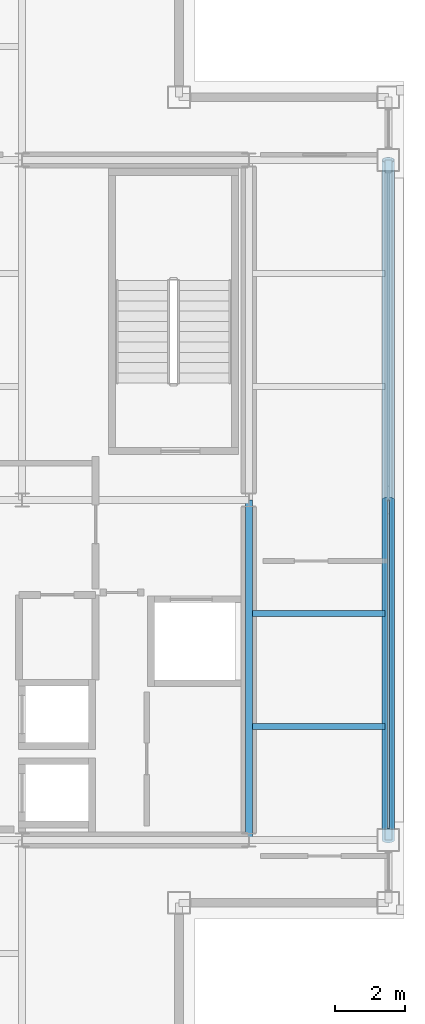
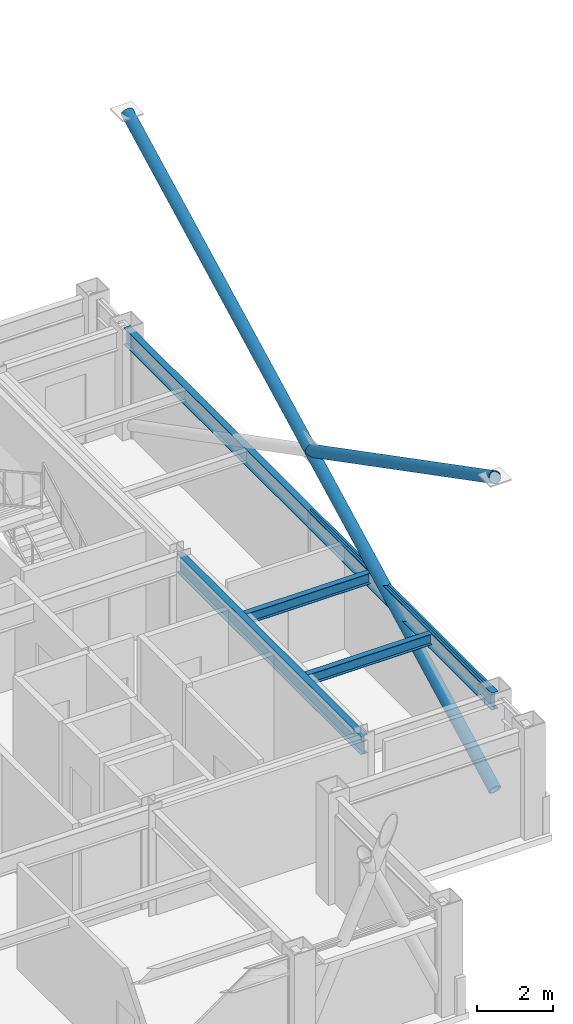
# One storey, part 14 of 26: 4 beams, 3 members, 1 element without a shape of its own.
"""IFC4 building model written with IfcOpenShell, lengths in metres."""

from ifc_helpers import new_model, si_unit, direction, frame, origin, origin_2d, place, context, subcontext, project, spatial, hollow_rectangle, hollow_circle, i_section, extrude, material, layer, layer_set, material_profile, profile_set, type_object, element, aggregate, save


model = new_model("IFC4")

# Units and contexts
model_context = context("Model", 3, precision=1e-05, world=origin(), true_north=direction((0.0, 1.0)))
body_context = subcontext(model_context, "Body", "Model", "MODEL_VIEW")
ifc_project = project(units=[si_unit("LENGTHUNIT", "METRE"), si_unit("AREAUNIT", "SQUARE_METRE"), si_unit("VOLUMEUNIT", "CUBIC_METRE"), si_unit("PLANEANGLEUNIT", "RADIAN"), si_unit("MASSUNIT", "GRAM", prefix="KILO")], contexts=[model_context])

# Site, building, storey
site_placement = place(None, origin())
site = spatial("IfcSite", under=ifc_project, at=site_placement, CompositionType="ELEMENT")
building_placement = place(site_placement, origin())
building = spatial("IfcBuilding", under=site, at=building_placement, Name="Brelmoor Portico Tower", CompositionType="ELEMENT")
storey_placement = place(building_placement, frame((0.0, 0.0, 247.199951171875)))
storey = spatial("IfcBuildingStorey", under=building, at=storey_placement, Name="L65", CompositionType="ELEMENT", Elevation=247.199951171875)

# Beams
ifc_material_1 = material(Name="Steel Q355B", Category="steel")
ifc_material_profile_1 = material_profile(ifc_material_1, i_section(OverallWidth=0.175048828125, OverallDepth=0.35009765625, WebThickness=0.007080078125, FlangeThickness=0.010986328125, at=origin_2d()), Name="HN 350x175x7x11")
ifc_profile_set_1 = profile_set([ifc_material_profile_1], Name="Steel Q355B")
beam_type_1 = type_object("IfcBeamType", Name="BM-JS-350", PredefinedType="JOIST", material=ifc_profile_set_1)
for number, where, z_axis, x_axis, name in (
    (1, (14.64990234375, -6.5, 3.22509765625), (1.0, 0.0, 0.0), (0.0, 1.0, 0.0), "L65 Secondary Wing Joist JS-E11"),
    (2, (14.64990234375, -3.25, 3.22509765625), (1.0, 0.0, 0.0), (0.0, 1.0, 0.0), "L65 Secondary Wing Joist JS-E12"),
):
    element("IfcBeam", number, at=place(storey_placement, frame(where, z_axis=z_axis, x_axis=x_axis)), inside=storey, type_object=beam_type_1, Name=name, PredefinedType="JOIST", context=body_context, shape_type="SweptSolid", body=[
        extrude(i_section(OverallWidth=0.175048828125, OverallDepth=0.35009765625, WebThickness=0.007080078125, FlangeThickness=0.010986328125, at=origin_2d()), origin(), (0.0, 0.0, 1.0), 3.800048828125),
    ])
ifc_material_profile_2 = material_profile(ifc_material_1, i_section(OverallWidth=0.199951171875, OverallDepth=0.60009765625, WebThickness=0.010986328125, FlangeThickness=0.01708984375, at=origin_2d()), Name="HN 600x200x11x17")
ifc_profile_set_2 = profile_set([ifc_material_profile_2], Name="Steel Q355B")
beam_type_2 = type_object("IfcBeamType", Name="BM-PG-600", PredefinedType="BEAM", material=ifc_profile_set_2)
beam_1_placement = place(storey_placement, frame((14.550048828125, -9.75, 3.10009765625), z_axis=(0.0, 1.0, 0.0), x_axis=(-1.0, 0.0, 0.0)))
element("IfcBeam", 3, at=beam_1_placement, inside=storey, type_object=beam_type_2, Name="L65 Primary Floor Girder PG-09", PredefinedType="BEAM", context=body_context, shape_type="SweptSolid", body=[
    extrude(i_section(OverallWidth=0.199951171875, OverallDepth=0.60009765625, WebThickness=0.010986328125, FlangeThickness=0.01708984375, at=origin_2d()), origin(), (0.0, 0.0, 1.0), 9.75),
])
ifc_material_profile_3 = material_profile(ifc_material_1, i_section(OverallWidth=0.199951171875, OverallDepth=0.550048828125, WebThickness=0.010009765625, FlangeThickness=0.01611328125, at=origin_2d()), Name="HN 550x200x10x16")
ifc_profile_set_3 = profile_set([ifc_material_profile_3], Name="Steel Q355B")
beam_type_3 = type_object("IfcBeamType", Name="BM-SP-550", PredefinedType="SPANDREL", material=ifc_profile_set_3)
beam_2_placement = place(storey_placement, frame((18.550048828125, -9.75, 3.125), z_axis=(0.0, 1.0, 0.0), x_axis=(-1.0, 0.0, 0.0)))
element("IfcBeam", 4, at=beam_2_placement, inside=storey, type_object=beam_type_3, Name="L65 Perimeter Spandrel Beam SP-19", PredefinedType="SPANDREL", context=body_context, shape_type="SweptSolid", body=[
    extrude(i_section(OverallWidth=0.199951171875, OverallDepth=0.550048828125, WebThickness=0.010009765625, FlangeThickness=0.01611328125, at=origin_2d()), origin(), (0.0, 0.0, 1.0), 19.5),
])

# Members
ifc_material_profile_4 = material_profile(ifc_material_1, hollow_circle(Radius=0.177978515625, WallThickness=0.01611328125, at=origin_2d()), Name="CHS 356x16")
ifc_profile_set_4 = profile_set([ifc_material_profile_4], Name="Steel Q355B")
member_type_1 = type_object("IfcMemberType", Name="MB-BELT-DIAG2", PredefinedType="BRACE", material=ifc_profile_set_4)
member_1_placement = place(storey_placement, frame((18.550048828125, -9.75, 0.25), z_axis=(0.0, 0.887959386012, 0.459921872488), x_axis=(-1.0, 0.0, 0.0)))
element("IfcMember", 5, at=member_1_placement, inside=storey, type_object=member_type_1, Name="L65 Continuous Mega-X Brace 149A", PredefinedType="BRACE", context=body_context, shape_type="SweptSolid", body=[
    extrude(hollow_circle(Radius=0.177978515625, WallThickness=0.01611328125, at=origin_2d()), origin(), (0.0, 0.0, 1.0), 21.96044921875),
])
member_2_placement = place(storey_placement, frame((18.550048828125, 0.0, 5.300048828125), z_axis=(0.0, -0.887959386012, 0.459921872488), x_axis=(1.0, 0.0, 0.0)))
element("IfcMember", 6, at=member_2_placement, inside=storey, type_object=member_type_1, Name="L65 Split Mega-X Brace 149B2", PredefinedType="BRACE", context=body_context, shape_type="SweptSolid", body=[
    extrude(hollow_circle(Radius=0.177978515625, WallThickness=0.01611328125, at=origin_2d()), origin(), (0.0, 0.0, 1.0), 10.980224609375),
])

# Curtain wall, member
ifc_material_2 = material(Name="Anodised Aluminium Alloy 6063-T6", Category="aluminium")
ifc_layer = layer(ifc_material_2, 0.179931640625)
ifc_layer_set = layer_set([ifc_layer], Name="Anodised Aluminium Alloy 6063-T6")
curtain_wall_type = type_object("IfcCurtainWallType", Name="CW-TOWER-Z4-XB", PredefinedType="NOTDEFINED", material=ifc_layer_set)
curtain_wall_placement = place(storey_placement, origin())
curtain_wall = element("IfcCurtainWall", 7, at=curtain_wall_placement, inside=storey, type_object=curtain_wall_type, Name="L65 Curtain Wall CW-L65-04-2", PredefinedType="NOTDEFINED")
ifc_material_profile_5 = material_profile(ifc_material_2, hollow_rectangle(XDim=0.06005859375, YDim=0.125, WallThickness=0.00341796875, at=origin_2d()), Name="ALU TRANSOM 60x125")
ifc_profile_set_5 = profile_set([ifc_material_profile_5], Name="Anodised Aluminium Alloy 6063-T6")
member_type_2 = type_object("IfcMemberType", Name="MB-CW-TRAN-125", PredefinedType="USERDEFINED", material=ifc_profile_set_5)
member_3_placement = place(storey_placement, frame((18.550048828125, -9.4150390625, 3.337646484375), z_axis=(0.0, 1.0, 0.0), x_axis=(-1.0, 0.0, 0.0)))
member_3 = element("IfcMember", 8, at=member_3_placement, type_object=member_type_2, Name="CW-L65-04-2 Transom 1-00", ObjectType="TRANSOM", PredefinedType="USERDEFINED", context=body_context, shape_type="SweptSolid", body=[
    extrude(hollow_rectangle(XDim=0.06005859375, YDim=0.125, WallThickness=0.00341796875, at=origin_2d()), origin(), (0.0, 0.0, 1.0), 9.4150390625),
])
aggregate(curtain_wall, [member_3])

save(model, "model.ifc")
